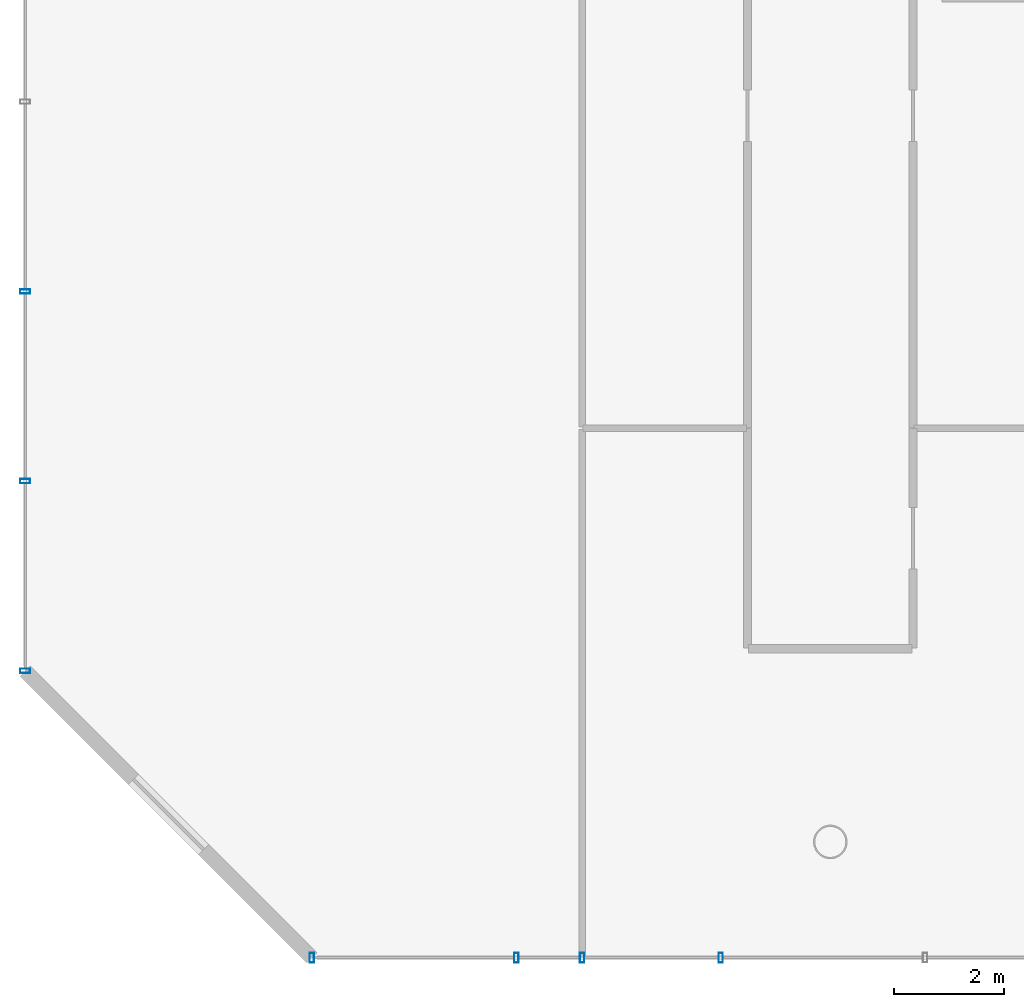
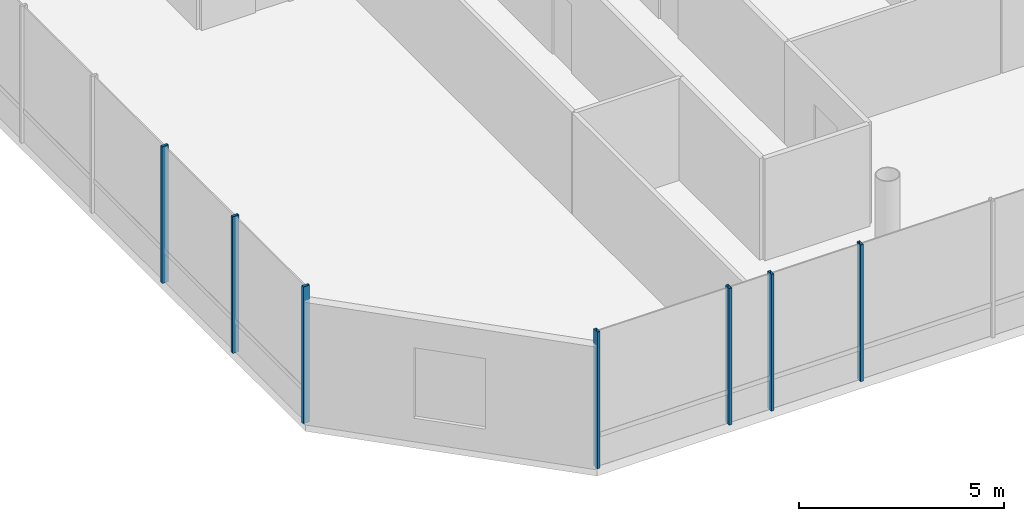
# One storey, part 4 of 33: 7 members, 2 elements without a shape of their own.
"""IFC4 building model written with IfcOpenShell, lengths in metres."""

from ifc_helpers import new_model, si_unit, direction, frame, origin, origin_2d, place, context, subcontext, project, spatial, hollow_rectangle, extrude, material, layer, layer_set, material_profile, profile_set, type_object, element, aggregate, save


model = new_model("IFC4")

# Units and contexts
model_context = context("Model", 3, precision=1e-05, world=origin(), true_north=direction((0.0, 1.0)))
body_context = subcontext(model_context, "Body", "Model", "MODEL_VIEW")
ifc_project = project(units=[si_unit("LENGTHUNIT", "METRE"), si_unit("AREAUNIT", "SQUARE_METRE"), si_unit("VOLUMEUNIT", "CUBIC_METRE"), si_unit("PLANEANGLEUNIT", "RADIAN"), si_unit("MASSUNIT", "GRAM", prefix="KILO")], contexts=[model_context])

# Site, building, storey
site_placement = place(None, origin())
site = spatial("IfcSite", under=ifc_project, at=site_placement, CompositionType="ELEMENT")
building_placement = place(site_placement, origin())
building = spatial("IfcBuilding", under=site, at=building_placement, Name="Zarrinselat Tower", CompositionType="ELEMENT")
storey_placement = place(building_placement, frame((0.0, 0.0, 18.360107421875)))
storey = spatial("IfcBuildingStorey", under=building, at=storey_placement, Name="L04", CompositionType="ELEMENT", Elevation=18.360107421875)

# Curtain wall, members
ifc_material_1 = material(Name="Extruded Aluminium Alloy EN AW-6063 T6", Category="aluminium")
ifc_layer = layer(ifc_material_1, 0.2099609375)
ifc_layer_set = layer_set([ifc_layer], Name="Extruded Aluminium Alloy EN AW-6063 T6")
curtain_wall_type = type_object("IfcCurtainWallType", Name="CWS-POD", PredefinedType="NOTDEFINED", material=ifc_layer_set)
curtain_wall_1_placement = place(storey_placement, origin())
curtain_wall_1 = element("IfcCurtainWall", 1, at=curtain_wall_1_placement, inside=storey, type_object=curtain_wall_type, Name="L04 Unitised Curtain Wall CW-L04-F1", PredefinedType="NOTDEFINED")
ifc_material_2 = material(Name="Extruded Aluminium Alloy EN AW-6063 T6", Category="aluminium")
ifc_material_profile = material_profile(ifc_material_2, hollow_rectangle(XDim=0.080078125, YDim=0.179931640625, WallThickness=0.0048828125, at=origin_2d()), Name="RHS 180x80x5")
ifc_profile_set = profile_set([ifc_material_profile], Name="Extruded Aluminium Alloy EN AW-6063 T6")
member_type = type_object("IfcMemberType", Name="MEM-CW-MUL", PredefinedType="MULLION", material=ifc_profile_set)
member_1_placement = place(storey_placement, frame((10.60009765625, 6.39990234375, 0.0), z_axis=(0.0, 0.0, 1.0), x_axis=(1.0, 0.0, 0.0)))
member_1 = element("IfcMember", 2, at=member_1_placement, type_object=member_type, Name="CW-L04-F1 Mullion 0", PredefinedType="MULLION", context=body_context, shape_type="SweptSolid", body=[
    extrude(hollow_rectangle(XDim=0.080078125, YDim=0.179931640625, WallThickness=0.0048828125, at=origin_2d()), origin(), (0.0, 0.0, 1.0), 4.06982421875),
])
member_2_placement = place(storey_placement, frame((14.306640625, 6.39990234375, 0.0), z_axis=(0.0, 0.0, 1.0), x_axis=(1.0, 0.0, 0.0)))
member_2 = element("IfcMember", 3, at=member_2_placement, type_object=member_type, Name="CW-L04-F1 Mullion 1", PredefinedType="MULLION", context=body_context, shape_type="SweptSolid", body=[
    extrude(hollow_rectangle(XDim=0.080078125, YDim=0.179931640625, WallThickness=0.0048828125, at=origin_2d()), origin(), (0.0, 0.0, 1.0), 4.06982421875),
])
member_3_placement = place(storey_placement, frame((15.5, 6.39990234375, 0.0), z_axis=(0.0, 0.0, 1.0), x_axis=(1.0, 0.0, 0.0)))
member_3 = element("IfcMember", 4, at=member_3_placement, type_object=member_type, Name="CW-L04-F1 Mullion 2", PredefinedType="MULLION", context=body_context, shape_type="SweptSolid", body=[
    extrude(hollow_rectangle(XDim=0.080078125, YDim=0.179931640625, WallThickness=0.0048828125, at=origin_2d()), origin(), (0.0, 0.0, 1.0), 4.06982421875),
])
member_4_placement = place(storey_placement, frame((18.01318359375, 6.39990234375, 0.0), z_axis=(0.0, 0.0, 1.0), x_axis=(1.0, 0.0, 0.0)))
member_4 = element("IfcMember", 5, at=member_4_placement, type_object=member_type, Name="CW-L04-F1 Mullion 3", PredefinedType="MULLION", context=body_context, shape_type="SweptSolid", body=[
    extrude(hollow_rectangle(XDim=0.080078125, YDim=0.179931640625, WallThickness=0.0048828125, at=origin_2d()), origin(), (0.0, 0.0, 1.0), 4.06982421875),
])
aggregate(curtain_wall_1, [member_1, member_2, member_3, member_4])

curtain_wall_2_placement = place(storey_placement, origin())
curtain_wall_2 = element("IfcCurtainWall", 6, at=curtain_wall_2_placement, inside=storey, type_object=curtain_wall_type, Name="L04 Unitised Curtain Wall CW-L04-F7", PredefinedType="NOTDEFINED")
member_5_placement = place(storey_placement, frame((5.39990234375, 18.47998046875, 0.0), z_axis=(0.0, 0.0, 1.0), x_axis=(0.0, -1.0, 0.0)))
member_5 = element("IfcMember", 7, at=member_5_placement, type_object=member_type, Name="CW-L04-F7 Mullion 8", PredefinedType="MULLION", context=body_context, shape_type="SweptSolid", body=[
    extrude(hollow_rectangle(XDim=0.080078125, YDim=0.179931640625, WallThickness=0.0048828125, at=origin_2d()), origin(), (0.0, 0.0, 1.0), 4.06982421875),
])
member_6_placement = place(storey_placement, frame((5.39990234375, 15.0400390625, 0.0), z_axis=(0.0, 0.0, 1.0), x_axis=(0.0, -1.0, 0.0)))
member_6 = element("IfcMember", 8, at=member_6_placement, type_object=member_type, Name="CW-L04-F7 Mullion 9", PredefinedType="MULLION", context=body_context, shape_type="SweptSolid", body=[
    extrude(hollow_rectangle(XDim=0.080078125, YDim=0.179931640625, WallThickness=0.0048828125, at=origin_2d()), origin(), (0.0, 0.0, 1.0), 4.06982421875),
])
member_7_placement = place(storey_placement, frame((5.39990234375, 11.60009765625, 0.0), z_axis=(0.0, 0.0, 1.0), x_axis=(0.0, -1.0, 0.0)))
member_7 = element("IfcMember", 9, at=member_7_placement, type_object=member_type, Name="CW-L04-F7 Mullion 10", PredefinedType="MULLION", context=body_context, shape_type="SweptSolid", body=[
    extrude(hollow_rectangle(XDim=0.080078125, YDim=0.179931640625, WallThickness=0.0048828125, at=origin_2d()), origin(), (0.0, 0.0, 1.0), 4.06982421875),
])
aggregate(curtain_wall_2, [member_5, member_6, member_7])

save(model, "model.ifc")
